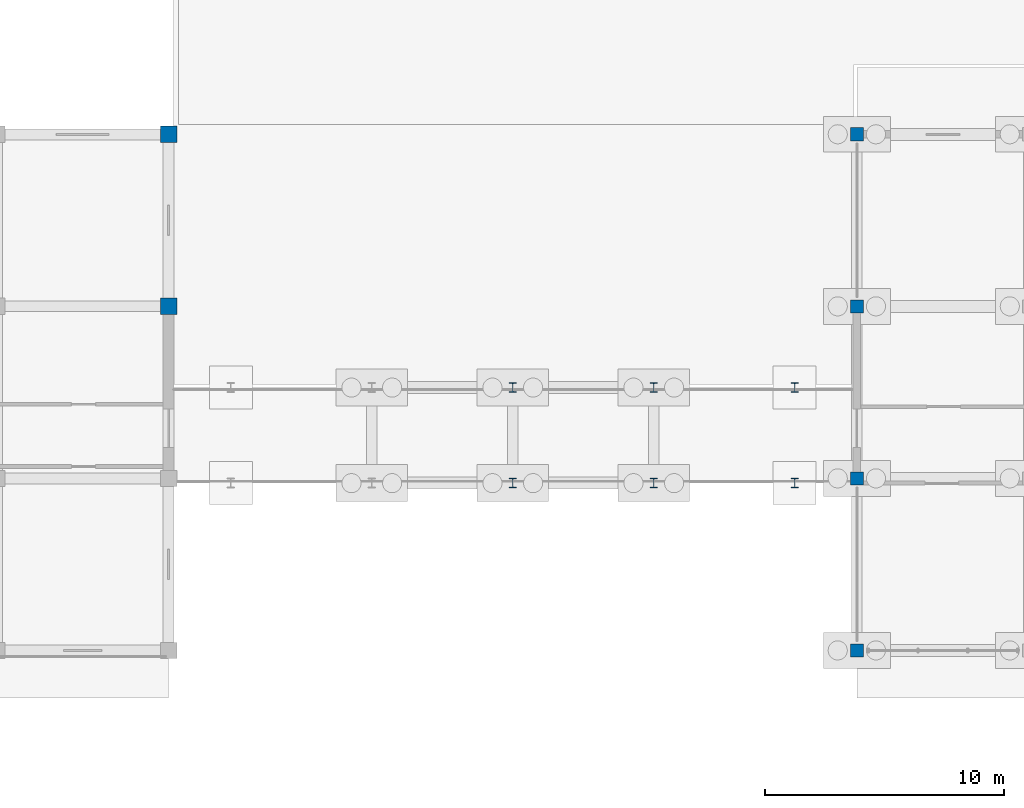
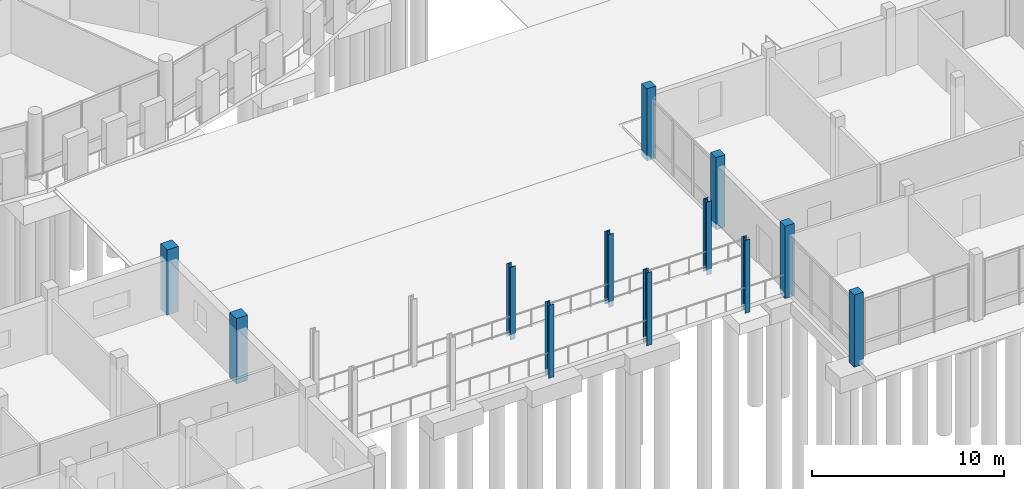
# One storey, part 10 of 98: 12 columns.
"""IFC4 building model written with IfcOpenShell, lengths in metres."""

import ifcopenshell
import ifcopenshell.guid

model = None  # the IFC model being written
_history = None  # IfcOwnerHistory: only IFC2X3 demands one
_inside = {}  # id of a spatial element -> (the spatial element, [elements in it])
_under = {}  # id of a project, library or spatial element -> (it, [spatial elements below it])
_declared = {}  # id of a project -> (the project, [libraries it declares])
_typed = {}  # id of a type object -> (the type object, [elements of that type])
_made_of = {}  # id of a material, layer set ... -> (it, [elements and type objects made of it])


def new_model(schema):
    """Start an empty IFC model of exactly this schema.

    Asked for "IFC4X3", IfcOpenShell would pick the latest addendum, in which some entities
    have other attributes; the version numbers below select the first issue.
    IFC2X3 requires an IfcOwnerHistory on every rooted entity: one is made here for all.
    """
    global model, _history
    if schema == "IFC4X3":
        model = ifcopenshell.file(schema_version=(4, 3, 0, 0))
    else:
        model = ifcopenshell.file(schema=schema)
    _inside.clear()
    _under.clear()
    _declared.clear()
    _typed.clear()
    _made_of.clear()
    _history = None
    if model.schema == "IFC2X3":
        org = make("IfcOrganization", Name="unknown")
        user = make(
            "IfcPersonAndOrganization",
            ThePerson=make("IfcPerson", FamilyName="unknown"),
            TheOrganization=org,
        )
        app = make(
            "IfcApplication",
            ApplicationDeveloper=org,
            Version="unknown",
            ApplicationFullName="unknown",
            ApplicationIdentifier="unknown",
        )
        _history = make(
            "IfcOwnerHistory",
            OwningUser=user,
            OwningApplication=app,
            ChangeAction="ADDED",
            CreationDate=0,
        )
    return model


def make(cls, **values):
    """One entity of the class cls with the attributes given. An attribute that is None is left unset."""
    return model.create_entity(
        cls, **{name: value for name, value in values.items() if value is not None}
    )


def rooted(cls, **values):
    """An entity with a GlobalId (a new one), such as an element, a storey or a relation."""
    return make(cls, GlobalId=ifcopenshell.guid.new(), OwnerHistory=_history, **values)


def si_unit(unit_type, name, prefix=None):
    """IfcSIUnit, for example si_unit("LENGTHUNIT", "METRE", prefix="MILLI")."""
    return make("IfcSIUnit", UnitType=unit_type, Prefix=prefix, Name=name)


def assignment(units):
    """IfcUnitAssignment: the units of a project."""
    return None if units is None else make("IfcUnitAssignment", Units=units)


def point(xyz):
    """IfcCartesianPoint."""
    return None if xyz is None else make("IfcCartesianPoint", Coordinates=xyz)


def direction(xyz):
    """IfcDirection."""
    return None if xyz is None else make("IfcDirection", DirectionRatios=xyz)


def frame(location, z_axis=None, x_axis=None):
    """IfcAxis2Placement3D, a coordinate frame: its origin and axes. An axis left out is left unset."""
    return make(
        "IfcAxis2Placement3D",
        Location=point(location),
        Axis=direction(z_axis),
        RefDirection=direction(x_axis),
    )


def frame_2d(location, x_axis=None):
    """IfcAxis2Placement2D, a coordinate frame in the plane: its origin and x axis."""
    return make(
        "IfcAxis2Placement2D", Location=point(location), RefDirection=direction(x_axis)
    )


def origin():
    """The frame at (0, 0, 0) with its axes left unset."""
    return frame((0.0, 0.0, 0.0))


def origin_2d():
    """The frame at (0, 0) in the plane with its x axis left unset."""
    return frame_2d((0.0, 0.0))


def place(relative_to, where):
    """IfcLocalPlacement: puts the frame where relative to a parent placement (None: the world)."""
    return make(
        "IfcLocalPlacement", PlacementRelTo=relative_to, RelativePlacement=where
    )


def context(
    kind, dimensions, precision=None, world=None, true_north=None, identifier=None
):
    """IfcGeometricRepresentationContext, for example the 3D "Model" context."""
    return make(
        "IfcGeometricRepresentationContext",
        ContextIdentifier=identifier,
        ContextType=kind,
        CoordinateSpaceDimension=dimensions,
        Precision=precision,
        WorldCoordinateSystem=world,
        TrueNorth=true_north,
    )


def subcontext(parent, identifier, kind, view, scale=None):
    """IfcGeometricRepresentationSubContext, for example "Body" below "Model"."""
    return make(
        "IfcGeometricRepresentationSubContext",
        ContextIdentifier=identifier,
        ContextType=kind,
        ParentContext=parent,
        TargetScale=scale,
        TargetView=view,
    )


def project(units=None, contexts=None):
    """IfcProject with its units and contexts."""
    return rooted(
        "IfcProject",
        Name="project",
        RepresentationContexts=contexts,
        UnitsInContext=assignment(units),
    )


def spatial(cls, under=None, at=None, **own):
    """A site, building, storey or space (cls), placed at a placement, below another one or the project."""
    s = rooted(cls, ObjectPlacement=at, **own)
    if under is not None:
        _under.setdefault(under.id(), (under, []))[1].append(s)
    return s


def profile(cls, at=None, kind="AREA", **sizes):
    """A parametric profile (cls). Its sizes go by their IFC names, for example OverallWidth=200.0."""
    return make(cls, ProfileType=kind, Position=at, **sizes)


def rectangle(**sizes):
    """IfcRectangleProfileDef."""
    return profile("IfcRectangleProfileDef", **sizes)


def i_section(**sizes):
    """IfcIShapeProfileDef."""
    return profile("IfcIShapeProfileDef", **sizes)


def extrude(swept, where, along, depth):
    """IfcExtrudedAreaSolid: the profile swept, set in the frame where, extruded along a direction by depth."""
    return make(
        "IfcExtrudedAreaSolid",
        SweptArea=swept,
        Position=where,
        ExtrudedDirection=direction(along),
        Depth=depth,
    )


def shape(context_of_items, identifier, shape_type, items):
    """IfcShapeRepresentation: the items that make up one representation, for example the "Body"."""
    return make(
        "IfcShapeRepresentation",
        ContextOfItems=context_of_items,
        RepresentationIdentifier=identifier,
        RepresentationType=shape_type,
        Items=items,
    )


def material(Name=None, Category=None):
    """IfcMaterial."""
    return make("IfcMaterial", Name=Name, Category=Category)


def material_profile(
    of_material, cross_section, Name=None, Category=None, Priority=None
):
    """IfcMaterialProfile: a cross section and its material."""
    return make(
        "IfcMaterialProfile",
        Name=Name,
        Material=of_material,
        Profile=cross_section,
        Priority=Priority,
        Category=Category,
    )


def profile_set(profiles, Name=None, composite=None):
    """IfcMaterialProfileSet."""
    return make(
        "IfcMaterialProfileSet",
        Name=Name,
        MaterialProfiles=profiles,
        CompositeProfile=composite,
    )


def made_of(thing, what):
    """Note that an element or type object is made of a material, layer set ...; save() writes the relation."""
    if what is not None:
        _made_of.setdefault(what.id(), (what, []))[1].append(thing)
    return thing


def type_object(cls, material=None, **own):
    """A type object (cls), such as IfcWallType, which elements share."""
    return made_of(rooted(cls, **own), material)


def element(
    cls,
    number,
    at=None,
    inside=None,
    cuts=None,
    type_object=None,
    material=None,
    context=None,
    identifier="Body",
    shape_type=None,
    held_by="IfcProductDefinitionShape",
    body=None,
    shapes=None,
    **own,
):
    """One element of the class cls, such as IfcWall. Its Tag is "e" and its number.

    at: its placement. inside: the storey or other place that contains it. cuts: it is an
    opening in that element (IfcRelVoidsElement). A single representation is given by context,
    identifier, shape_type and body (its items); several are given by shapes. held_by: the class
    of the entity that holds the representations. save() writes the other relations.
    """
    e = rooted(cls, Tag="e%d" % number, ObjectPlacement=at, **own)
    if body is not None:
        shapes = [shape(context, identifier, shape_type, body)]
    if shapes is not None:
        e.Representation = make(held_by, Representations=shapes)
    if inside is not None:
        _inside.setdefault(inside.id(), (inside, []))[1].append(e)
    if cuts is not None:
        rooted(
            "IfcRelVoidsElement", RelatingBuildingElement=cuts, RelatedOpeningElement=e
        )
    if type_object is not None:
        _typed.setdefault(type_object.id(), (type_object, []))[1].append(e)
    return made_of(e, material)


def aggregate(whole, parts):
    """IfcRelAggregates: a whole, such as a stair, and the parts it consists of."""
    return rooted("IfcRelAggregates", RelatingObject=whole, RelatedObjects=parts)


def save(model, path):
    """Write the relations noted so far, then the file.

    IfcRelAggregates (storeys below a building ...), IfcRelContainedInSpatialStructure (elements
    in a storey), IfcRelDefinesByType, IfcRelAssociatesMaterial and IfcRelDeclares: one each for
    every whole, place, type object, material and project.
    """
    for whole, parts in _under.values():
        aggregate(whole, parts)
    for where, things in _inside.values():
        rooted(
            "IfcRelContainedInSpatialStructure",
            RelatedElements=things,
            RelatingStructure=where,
        )
    for kind, things in _typed.values():
        rooted("IfcRelDefinesByType", RelatedObjects=things, RelatingType=kind)
    for what, things in _made_of.values():
        rooted("IfcRelAssociatesMaterial", RelatedObjects=things, RelatingMaterial=what)
    for by, libraries in _declared.values():
        rooted("IfcRelDeclares", RelatingContext=by, RelatedDefinitions=libraries)
    model.write(path)


model = new_model("IFC4")

# Units and contexts
model_context = context("Model", 3, precision=1e-05, world=origin(), true_north=direction((0.0, 1.0)))
body_context = subcontext(model_context, "Body", "Model", "MODEL_VIEW")
ifc_project = project(units=[si_unit("LENGTHUNIT", "METRE"), si_unit("AREAUNIT", "SQUARE_METRE"), si_unit("VOLUMEUNIT", "CUBIC_METRE"), si_unit("PLANEANGLEUNIT", "RADIAN"), si_unit("MASSUNIT", "GRAM", prefix="KILO")], contexts=[model_context])

# Site, building, storey
site_placement = place(None, origin())
site = spatial("IfcSite", under=ifc_project, at=site_placement, CompositionType="ELEMENT")
building_placement = place(site_placement, origin())
building = spatial("IfcBuilding", under=site, at=building_placement, Name="Zornivar Specialist Clinic", CompositionType="ELEMENT")
storey_placement = place(building_placement, origin())
storey = spatial("IfcBuildingStorey", under=building, at=storey_placement, Name="L00", CompositionType="ELEMENT", Elevation=0.0)

# Columns
ifc_material_1 = material(Name="Concrete C35/45", Category="concrete")
ifc_material_profile_1 = material_profile(ifc_material_1, rectangle(XDim=0.550048828125, YDim=0.550048828125, at=origin_2d()), Name="RC 550x550")
ifc_profile_set_1 = profile_set([ifc_material_profile_1], Name="Concrete C35/45")
column_type_1 = type_object("IfcColumnType", Name="COL-RC-550", PredefinedType="COLUMN", material=ifc_profile_set_1)
for number, where, z_axis, x_axis, name in (
    (1, (122.39990234375, 0.0, -0.35009765625), (0.0, 0.0, 1.0), (1.0, 0.0, 0.0), "col:V4:L00:1224_0"),
    (2, (122.39990234375, 7.199951171875, -0.35009765625), (0.0, 0.0, 1.0), (1.0, 0.0, 0.0), "col:V4:L00:1224_72"),
    (3, (122.39990234375, 14.39990234375, -0.35009765625), (0.0, 0.0, 1.0), (1.0, 0.0, 0.0), "col:V4:L00:1224_144"),
    (4, (122.39990234375, 21.60009765625, -0.35009765625), (0.0, 0.0, 1.0), (1.0, 0.0, 0.0), "col:V4:L00:1224_216"),
):
    element("IfcColumn", number, at=place(storey_placement, frame(where, z_axis=z_axis, x_axis=x_axis)), inside=storey, type_object=column_type_1, Name=name, PredefinedType="COLUMN", context=body_context, shape_type="SweptSolid", body=[
        extrude(rectangle(XDim=0.550048828125, YDim=0.550048828125, at=origin_2d()), origin(), (0.0, 0.0, 1.0), 4.590087890625),
    ])
ifc_material_2 = material(Name="Concrete C35/45", Category="concrete")
ifc_material_profile_2 = material_profile(ifc_material_2, rectangle(XDim=0.679931640625, YDim=0.679931640625, at=origin_2d()), Name="RC 680x680")
ifc_profile_set_2 = profile_set([ifc_material_profile_2], Name="Concrete C35/45")
column_type_2 = type_object("IfcColumnType", Name="COL-RC-680", PredefinedType="COLUMN", material=ifc_profile_set_2)
for number, where, z_axis, x_axis, name in (
    (5, (93.60009765625, 14.39990234375, 0.0), (0.0, 0.0, 1.0), (1.0, 0.0, 0.0), "col:V3:L00:936_144"),
    (6, (93.60009765625, 21.60009765625, 0.0), (0.0, 0.0, 1.0), (1.0, 0.0, 0.0), "col:V3:L00:936_216"),
):
    element("IfcColumn", number, at=place(storey_placement, frame(where, z_axis=z_axis, x_axis=x_axis)), inside=storey, type_object=column_type_2, Name=name, PredefinedType="COLUMN", context=body_context, shape_type="SweptSolid", body=[
        extrude(rectangle(XDim=0.679931640625, YDim=0.679931640625, at=origin_2d()), origin(), (0.0, 0.0, 1.0), 4.14990234375),
    ])
ifc_material_3 = material(Name="Steel S355J2", Category="steel")
ifc_material_profile_3 = material_profile(ifc_material_3, i_section(OverallWidth=0.300048828125, OverallDepth=0.39990234375, WebThickness=0.013427734375, FlangeThickness=0.02392578125, FilletRadius=0.027099609375, at=origin_2d()), Name="HEB 400")
ifc_profile_set_3 = profile_set([ifc_material_profile_3], Name="Steel S355J2")
column_type_3 = type_object("IfcColumnType", Name="COL-STL-HEB400", PredefinedType="COLUMN", material=ifc_profile_set_3)
for number, where, z_axis, x_axis, name in (
    (7, (108.0, 7.0, -0.35009765625), (0.0, 0.0, 1.0), (1.0, 0.0, 0.0), "col:BR4:L00:1080_70"),
    (8, (108.0, 11.0, -0.35009765625), (0.0, 0.0, 1.0), (1.0, 0.0, 0.0), "col:BR4:L00:1080_110"),
    (9, (113.89990234375, 7.0, -0.35009765625), (0.0, 0.0, 1.0), (1.0, 0.0, 0.0), "col:BR4:L00:1139_70"),
    (10, (113.89990234375, 11.0, -0.35009765625), (0.0, 0.0, 1.0), (1.0, 0.0, 0.0), "col:BR4:L00:1139_110"),
    (11, (119.800048828125, 7.0, -0.35009765625), (0.0, 0.0, 1.0), (1.0, 0.0, 0.0), "col:BR4:L00:1198_70"),
    (12, (119.800048828125, 11.0, -0.35009765625), (0.0, 0.0, 1.0), (1.0, 0.0, 0.0), "col:BR4:L00:1198_110"),
):
    element("IfcColumn", number, at=place(storey_placement, frame(where, z_axis=z_axis, x_axis=x_axis)), inside=storey, type_object=column_type_3, Name=name, PredefinedType="COLUMN", context=body_context, shape_type="SweptSolid", body=[
        extrude(i_section(OverallWidth=0.300048828125, OverallDepth=0.39990234375, WebThickness=0.013427734375, FlangeThickness=0.02392578125, FilletRadius=0.027099609375, at=origin_2d()), origin(), (0.0, 0.0, 1.0), 4.630126953125),
    ])

save(model, "model.ifc")
